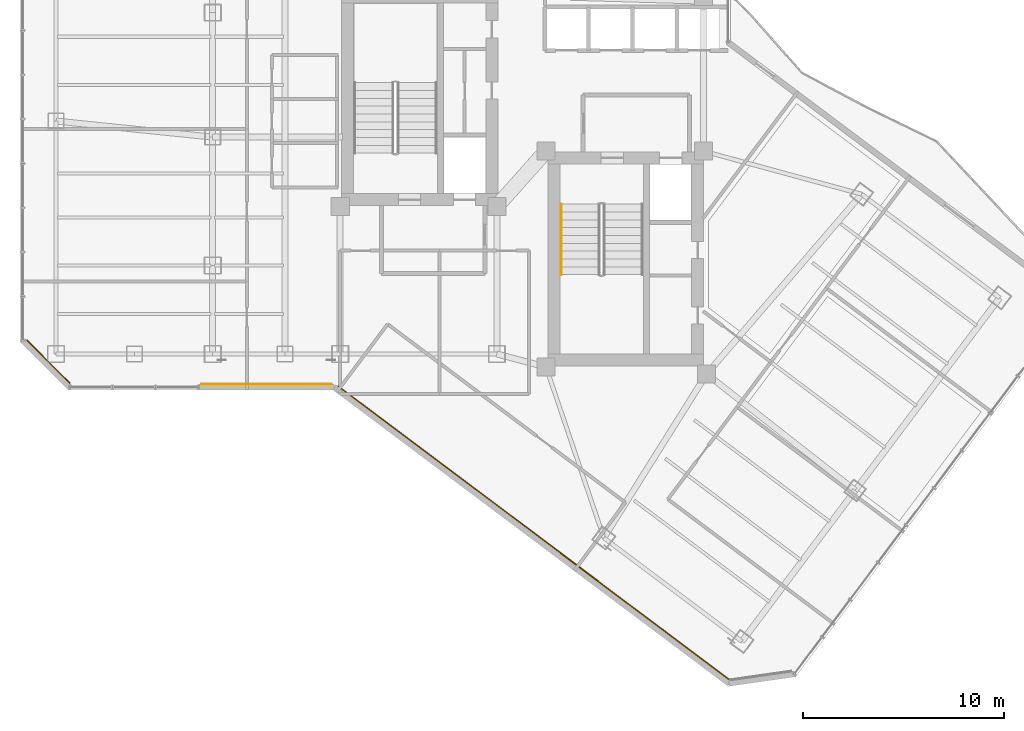
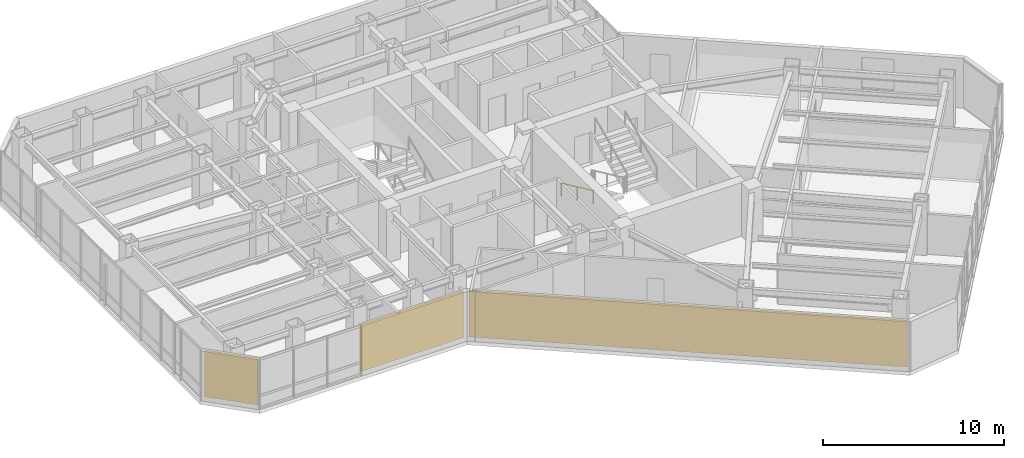
# One storey, part 25 of 27: 3 coverings, 1 railing.
"""IFC4 building model written with IfcOpenShell, lengths in metres."""

from ifc_helpers import new_model, si_unit, direction, frame, origin, origin_2d, place, context, subcontext, project, spatial, rectangle, circle, extrude, material, layer, layer_set, type_object, element, save


model = new_model("IFC4")

# Units and contexts
model_context = context("Model", 3, precision=1e-05, world=origin(), true_north=direction((0.0, 1.0)))
body_context = subcontext(model_context, "Body", "Model", "MODEL_VIEW")
ifc_project = project(units=[si_unit("LENGTHUNIT", "METRE"), si_unit("AREAUNIT", "SQUARE_METRE"), si_unit("VOLUMEUNIT", "CUBIC_METRE"), si_unit("PLANEANGLEUNIT", "RADIAN"), si_unit("MASSUNIT", "GRAM", prefix="KILO")], contexts=[model_context])

# Site, building, storey
site_placement = place(None, origin())
site = spatial("IfcSite", under=ifc_project, at=site_placement, CompositionType="ELEMENT")
building_placement = place(site_placement, origin())
building = spatial("IfcBuilding", under=site, at=building_placement, Name="Hatsunagi Terrace Concourse", CompositionType="ELEMENT")
storey_placement = place(building_placement, frame((0.0, 0.0, 142.050048828125)))
storey = spatial("IfcBuildingStorey", under=building, at=storey_placement, Name="L37", CompositionType="ELEMENT", Elevation=142.050048828125)

# Railing
ifc_material_1 = material(Name="Stainless steel", Category="steel")
ifc_layer_1 = layer(ifc_material_1, 0.044921875)
ifc_layer_set_1 = layer_set([ifc_layer_1], Name="StairPitchHandrail_Tower2000")
railing_type = type_object("IfcRailingType", Name="StairPitchHandrail_Tower2000", PredefinedType="HANDRAIL", material=ifc_layer_set_1)
railing_placement = place(storey_placement, frame((36.550048828125, 32.659912109375, 0.179931640625)))
element("IfcRailing", 1, at=railing_placement, inside=storey, type_object=railing_type, Name="L37 ST-B stair handrail 1", PredefinedType="HANDRAIL", context=body_context, shape_type="SweptSolid", body=[
    extrude(circle(Radius=0.02392578125, at=origin_2d()), frame((0.0, 0.0, 0.8759765625), z_axis=(0.0, -0.907948293929, 0.419082206198), x_axis=(1.0, 0.0, 0.0)), (0.0, 0.0, 1.0), 3.865966796875),
    extrude(circle(Radius=0.02099609375, at=origin_2d()), origin(), (0.0, 0.0, 1.0), 0.851806640625),
    extrude(circle(Radius=0.02099609375, at=origin_2d()), frame((0.0, -1.7548828125, 0.81005859375)), (0.0, 0.0, 1.0), 0.851806640625),
    extrude(circle(Radius=0.02099609375, at=origin_2d()), frame((0.0, -3.510009765625, 1.6201171875)), (0.0, 0.0, 1.0), 0.851806640625),
])

# Coverings
ifc_material_2 = material(Name="Unglazed Warm Terracotta Rainscreen Tile", Category="masonry")
ifc_layer_2 = layer(ifc_material_2, 0.044921875)
ifc_layer_set_2 = layer_set([ifc_layer_2], Name="TerracottaRainscreenCladding_45")
covering_type = type_object("IfcCoveringType", Name="TerracottaRainscreenCladding_45", PredefinedType="CLADDING", material=ifc_layer_set_2)
covering_1_placement = place(storey_placement, frame((35.179931640625, 16.29296875, 0.10009765625), z_axis=(0.0, 0.0, 1.0), x_axis=(-0.800005211305, 0.599993051531, 0.0)))
element("IfcCovering", 2, at=covering_1_placement, inside=storey, type_object=covering_type, Name="Terracotta Rainscreen Cladding L37-05", PredefinedType="CLADDING", context=body_context, shape_type="SweptSolid", body=[
    extrude(rectangle(XDim=24.34912109375, YDim=0.044921875, at=origin_2d()), origin(), (0.0, 0.0, 1.0), 3.14990234375),
])
covering_2_placement = place(storey_placement, frame((21.873046875, 23.701904296875, 0.10009765625), z_axis=(0.0, 0.0, 1.0), x_axis=(-1.0, 0.0, 0.0)))
element("IfcCovering", 3, at=covering_2_placement, inside=storey, type_object=covering_type, Name="Terracotta Rainscreen Cladding L37-06", PredefinedType="CLADDING", context=body_context, shape_type="SweptSolid", body=[
    extrude(rectangle(XDim=6.507080078125, YDim=0.044921875, at=origin_2d()), origin(), (0.0, 0.0, 1.0), 3.14990234375),
])
covering_3_placement = place(storey_placement, frame((11.013916015625, 24.81396484375, 0.10009765625), z_axis=(0.0, 0.0, 1.0), x_axis=(-0.707106781187, 0.707106781187, 0.0)))
element("IfcCovering", 4, at=covering_3_placement, inside=storey, type_object=covering_type, Name="Terracotta Rainscreen Cladding L37-08", PredefinedType="CLADDING", context=body_context, shape_type="SweptSolid", body=[
    extrude(rectangle(XDim=3.0380859375, YDim=0.044921875, at=origin_2d()), origin(), (0.0, 0.0, 1.0), 3.14990234375),
])

save(model, "model.ifc")
